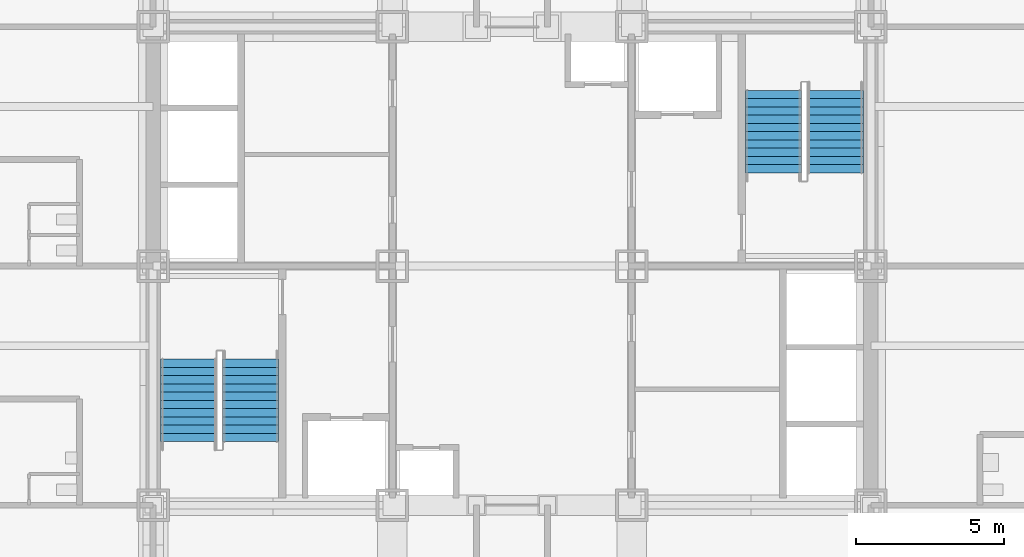
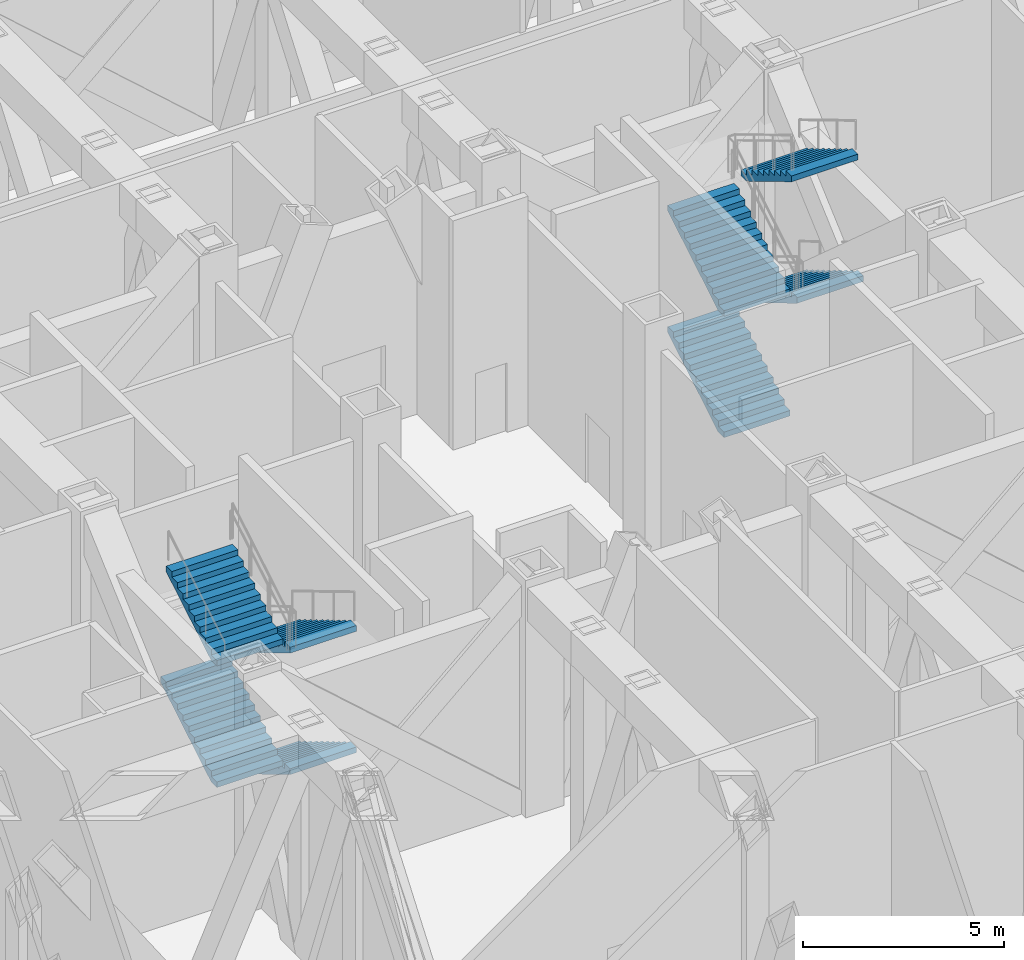
# One storey, part 11 of 13: 8 stair flights, 2 elements without a shape of their own.
"""IFC4 building model written with IfcOpenShell, lengths in metres."""

import ifcopenshell
import ifcopenshell.guid

model = None  # the IFC model being written
_history = None  # IfcOwnerHistory: only IFC2X3 demands one
_inside = {}  # id of a spatial element -> (the spatial element, [elements in it])
_under = {}  # id of a project, library or spatial element -> (it, [spatial elements below it])
_declared = {}  # id of a project -> (the project, [libraries it declares])
_typed = {}  # id of a type object -> (the type object, [elements of that type])
_made_of = {}  # id of a material, layer set ... -> (it, [elements and type objects made of it])


def new_model(schema):
    """Start an empty IFC model of exactly this schema.

    Asked for "IFC4X3", IfcOpenShell would pick the latest addendum, in which some entities
    have other attributes; the version numbers below select the first issue.
    IFC2X3 requires an IfcOwnerHistory on every rooted entity: one is made here for all.
    """
    global model, _history
    if schema == "IFC4X3":
        model = ifcopenshell.file(schema_version=(4, 3, 0, 0))
    else:
        model = ifcopenshell.file(schema=schema)
    _inside.clear()
    _under.clear()
    _declared.clear()
    _typed.clear()
    _made_of.clear()
    _history = None
    if model.schema == "IFC2X3":
        org = make("IfcOrganization", Name="unknown")
        user = make(
            "IfcPersonAndOrganization",
            ThePerson=make("IfcPerson", FamilyName="unknown"),
            TheOrganization=org,
        )
        app = make(
            "IfcApplication",
            ApplicationDeveloper=org,
            Version="unknown",
            ApplicationFullName="unknown",
            ApplicationIdentifier="unknown",
        )
        _history = make(
            "IfcOwnerHistory",
            OwningUser=user,
            OwningApplication=app,
            ChangeAction="ADDED",
            CreationDate=0,
        )
    return model


def make(cls, **values):
    """One entity of the class cls with the attributes given. An attribute that is None is left unset."""
    return model.create_entity(
        cls, **{name: value for name, value in values.items() if value is not None}
    )


def rooted(cls, **values):
    """An entity with a GlobalId (a new one), such as an element, a storey or a relation."""
    return make(cls, GlobalId=ifcopenshell.guid.new(), OwnerHistory=_history, **values)


def si_unit(unit_type, name, prefix=None):
    """IfcSIUnit, for example si_unit("LENGTHUNIT", "METRE", prefix="MILLI")."""
    return make("IfcSIUnit", UnitType=unit_type, Prefix=prefix, Name=name)


def assignment(units):
    """IfcUnitAssignment: the units of a project."""
    return None if units is None else make("IfcUnitAssignment", Units=units)


def point(xyz):
    """IfcCartesianPoint."""
    return None if xyz is None else make("IfcCartesianPoint", Coordinates=xyz)


def direction(xyz):
    """IfcDirection."""
    return None if xyz is None else make("IfcDirection", DirectionRatios=xyz)


def frame(location, z_axis=None, x_axis=None):
    """IfcAxis2Placement3D, a coordinate frame: its origin and axes. An axis left out is left unset."""
    return make(
        "IfcAxis2Placement3D",
        Location=point(location),
        Axis=direction(z_axis),
        RefDirection=direction(x_axis),
    )


def origin():
    """The frame at (0, 0, 0) with its axes left unset."""
    return frame((0.0, 0.0, 0.0))


def place(relative_to, where):
    """IfcLocalPlacement: puts the frame where relative to a parent placement (None: the world)."""
    return make(
        "IfcLocalPlacement", PlacementRelTo=relative_to, RelativePlacement=where
    )


def context(
    kind, dimensions, precision=None, world=None, true_north=None, identifier=None
):
    """IfcGeometricRepresentationContext, for example the 3D "Model" context."""
    return make(
        "IfcGeometricRepresentationContext",
        ContextIdentifier=identifier,
        ContextType=kind,
        CoordinateSpaceDimension=dimensions,
        Precision=precision,
        WorldCoordinateSystem=world,
        TrueNorth=true_north,
    )


def subcontext(parent, identifier, kind, view, scale=None):
    """IfcGeometricRepresentationSubContext, for example "Body" below "Model"."""
    return make(
        "IfcGeometricRepresentationSubContext",
        ContextIdentifier=identifier,
        ContextType=kind,
        ParentContext=parent,
        TargetScale=scale,
        TargetView=view,
    )


def project(units=None, contexts=None):
    """IfcProject with its units and contexts."""
    return rooted(
        "IfcProject",
        Name="project",
        RepresentationContexts=contexts,
        UnitsInContext=assignment(units),
    )


def spatial(cls, under=None, at=None, **own):
    """A site, building, storey or space (cls), placed at a placement, below another one or the project."""
    s = rooted(cls, ObjectPlacement=at, **own)
    if under is not None:
        _under.setdefault(under.id(), (under, []))[1].append(s)
    return s


def point_list(points):
    """IfcCartesianPointList2D or 3D."""
    cls = (
        "IfcCartesianPointList2D" if len(points[0]) == 2 else "IfcCartesianPointList3D"
    )
    return make(cls, CoordList=points)


def polygons(points, faces, closed=None, point_numbers=None):
    """IfcPolygonalFaceSet: a face is its outer loop, then its inner loops; points numbered from 1."""
    made = []
    for loops in faces:
        if len(loops) == 1:
            made.append(make("IfcIndexedPolygonalFace", CoordIndex=loops[0]))
        else:
            made.append(
                make(
                    "IfcIndexedPolygonalFaceWithVoids",
                    CoordIndex=loops[0],
                    InnerCoordIndices=loops[1:],
                )
            )
    return make(
        "IfcPolygonalFaceSet",
        Coordinates=point_list(points),
        Closed=closed,
        Faces=made,
        PnIndex=point_numbers,
    )


def shape(context_of_items, identifier, shape_type, items):
    """IfcShapeRepresentation: the items that make up one representation, for example the "Body"."""
    return make(
        "IfcShapeRepresentation",
        ContextOfItems=context_of_items,
        RepresentationIdentifier=identifier,
        RepresentationType=shape_type,
        Items=items,
    )


def source(mapping_origin, context_of_items, identifier, shape_type, items):
    """IfcRepresentationMap: a shape defined once, which mapped items show again and again."""
    return make(
        "IfcRepresentationMap",
        MappingOrigin=mapping_origin,
        MappedRepresentation=shape(context_of_items, identifier, shape_type, items),
    )


def transform(
    local_origin,
    x_axis=None,
    y_axis=None,
    z_axis=None,
    scale=None,
    scale2=None,
    scale3=None,
    uniform=True,
):
    """IfcCartesianTransformationOperator3D, or its non-uniform kind. x_axis, y_axis, z_axis: its Axis1, 2, 3."""
    if uniform:
        return make(
            "IfcCartesianTransformationOperator3D",
            Axis1=direction(x_axis),
            Axis2=direction(y_axis),
            LocalOrigin=point(local_origin),
            Scale=scale,
            Axis3=direction(z_axis),
        )
    return make(
        "IfcCartesianTransformationOperator3DnonUniform",
        Axis1=direction(x_axis),
        Axis2=direction(y_axis),
        LocalOrigin=point(local_origin),
        Scale=scale,
        Axis3=direction(z_axis),
        Scale2=scale2,
        Scale3=scale3,
    )


def mapped(mapping_source, mapping_target):
    """IfcMappedItem: shows the shape of a source again, moved by a transform."""
    return make(
        "IfcMappedItem", MappingSource=mapping_source, MappingTarget=mapping_target
    )


def material(Name=None, Category=None):
    """IfcMaterial."""
    return make("IfcMaterial", Name=Name, Category=Category)


def made_of(thing, what):
    """Note that an element or type object is made of a material, layer set ...; save() writes the relation."""
    if what is not None:
        _made_of.setdefault(what.id(), (what, []))[1].append(thing)
    return thing


def type_object(cls, material=None, **own):
    """A type object (cls), such as IfcWallType, which elements share."""
    return made_of(rooted(cls, **own), material)


def element(
    cls,
    number,
    at=None,
    inside=None,
    cuts=None,
    type_object=None,
    material=None,
    context=None,
    identifier="Body",
    shape_type=None,
    held_by="IfcProductDefinitionShape",
    body=None,
    shapes=None,
    **own,
):
    """One element of the class cls, such as IfcWall. Its Tag is "e" and its number.

    at: its placement. inside: the storey or other place that contains it. cuts: it is an
    opening in that element (IfcRelVoidsElement). A single representation is given by context,
    identifier, shape_type and body (its items); several are given by shapes. held_by: the class
    of the entity that holds the representations. save() writes the other relations.
    """
    e = rooted(cls, Tag="e%d" % number, ObjectPlacement=at, **own)
    if body is not None:
        shapes = [shape(context, identifier, shape_type, body)]
    if shapes is not None:
        e.Representation = make(held_by, Representations=shapes)
    if inside is not None:
        _inside.setdefault(inside.id(), (inside, []))[1].append(e)
    if cuts is not None:
        rooted(
            "IfcRelVoidsElement", RelatingBuildingElement=cuts, RelatedOpeningElement=e
        )
    if type_object is not None:
        _typed.setdefault(type_object.id(), (type_object, []))[1].append(e)
    return made_of(e, material)


def aggregate(whole, parts):
    """IfcRelAggregates: a whole, such as a stair, and the parts it consists of."""
    return rooted("IfcRelAggregates", RelatingObject=whole, RelatedObjects=parts)


def save(model, path):
    """Write the relations noted so far, then the file.

    IfcRelAggregates (storeys below a building ...), IfcRelContainedInSpatialStructure (elements
    in a storey), IfcRelDefinesByType, IfcRelAssociatesMaterial and IfcRelDeclares: one each for
    every whole, place, type object, material and project.
    """
    for whole, parts in _under.values():
        aggregate(whole, parts)
    for where, things in _inside.values():
        rooted(
            "IfcRelContainedInSpatialStructure",
            RelatedElements=things,
            RelatingStructure=where,
        )
    for kind, things in _typed.values():
        rooted("IfcRelDefinesByType", RelatedObjects=things, RelatingType=kind)
    for what, things in _made_of.values():
        rooted("IfcRelAssociatesMaterial", RelatedObjects=things, RelatingMaterial=what)
    for by, libraries in _declared.values():
        rooted("IfcRelDeclares", RelatingContext=by, RelatedDefinitions=libraries)
    model.write(path)


model = new_model("IFC4")

# Units and contexts
model_context = context("Model", 3, precision=1e-05, world=origin(), true_north=direction((0.0, 1.0)))
body_context = subcontext(model_context, "Body", "Model", "MODEL_VIEW")
ifc_project = project(units=[si_unit("LENGTHUNIT", "METRE"), si_unit("AREAUNIT", "SQUARE_METRE"), si_unit("VOLUMEUNIT", "CUBIC_METRE"), si_unit("PLANEANGLEUNIT", "RADIAN"), si_unit("MASSUNIT", "GRAM", prefix="KILO")], contexts=[model_context])

# Site, building, storey
site_placement = place(None, origin())
site = spatial("IfcSite", under=ifc_project, at=site_placement, CompositionType="ELEMENT")
building_placement = place(site_placement, origin())
building = spatial("IfcBuilding", under=site, at=building_placement, Name="Kopane Lantern Tower", CompositionType="ELEMENT")
storey_placement = place(building_placement, frame((0.0, 0.0, 157.800048828125)))
storey = spatial("IfcBuildingStorey", under=building, at=storey_placement, Name="L41", CompositionType="ELEMENT", Elevation=157.800048828125)

# Stair, stair flights
ifc_material_1 = material(Name="Steel S355JR", Category="steel")
stair_type = type_object("IfcStairType", Name="EXIT STAIR 1900 HALF TURN", PredefinedType="HALF_TURN_STAIR", material=ifc_material_1)
stair_1_placement = place(storey_placement, origin())
stair_1 = element("IfcStair", 1, at=stair_1_placement, inside=storey, type_object=stair_type, Name="Exit stair ST1 L41", PredefinedType="HALF_TURN_STAIR")
ifc_material_2 = material(Name="Steel S355JR", Category="steel")
stair_flight_type = type_object("IfcStairFlightType", Name="STAIR FLIGHT 1900 STEEL", PredefinedType="STRAIGHT", material=ifc_material_2)
shared_shape_1 = source(origin(), body_context, "Body", "Tessellation", [
    polygons([(2.800048828, 0.949951172, 1.674316406), (2.520019531, 0.949951172, 1.674316406), (2.520019531, -0.949951172, 1.674316406), (2.800048828, -0.949951172, 1.674316406), (0.291992188, 0.949951172, 0.0), (2.800048828, 0.949951172, 1.499755859), (2.800048828, -0.949951172, 1.499755859), (0.291992188, -0.949951172, 0.0), (0.0, 0.949951172, 0.0), (0.0, -0.949951172, 0.0), (0.280029297, 0.949951172, 0.167480469), (0.0, 0.949951172, 0.167480469), (0.0, -0.949951172, 0.167480469), (0.280029297, -0.949951172, 0.167480469), (0.280029297, 0.949951172, 0.334960938), (0.280029297, -0.949951172, 0.334960938), (0.560058594, 0.949951172, 0.334960938), (0.560058594, -0.949951172, 0.334960938), (0.560058594, 0.949951172, 0.502441406), (0.560058594, -0.949951172, 0.502441406), (0.840087891, 0.949951172, 0.502441406), (0.840087891, -0.949951172, 0.502441406), (0.840087891, 0.949951172, 0.669677734), (0.840087891, -0.949951172, 0.669677734), (1.120117188, 0.949951172, 0.669677734), (1.120117188, -0.949951172, 0.669677734), (1.120117188, 0.949951172, 0.837158203), (1.120117188, -0.949951172, 0.837158203), (1.399902344, 0.949951172, 0.837158203), (1.399902344, -0.949951172, 0.837158203), (1.399902344, 0.949951172, 1.004638672), (1.399902344, -0.949951172, 1.004638672), (1.679931641, 0.949951172, 1.004638672), (1.679931641, -0.949951172, 1.004638672), (1.679931641, 0.949951172, 1.172119141), (1.679931641, -0.949951172, 1.172119141), (1.959960938, 0.949951172, 1.172119141), (1.959960938, -0.949951172, 1.172119141), (1.959960938, 0.949951172, 1.339599609), (1.959960938, -0.949951172, 1.339599609), (2.239990234, 0.949951172, 1.339599609), (2.239990234, -0.949951172, 1.339599609), (2.239990234, 0.949951172, 1.507080078), (2.239990234, -0.949951172, 1.507080078), (2.520019531, 0.949951172, 1.507080078), (2.520019531, -0.949951172, 1.507080078), (0.0, 0.0, 0.004526499), (0.0, 0.0, 0.009052998), (0.0, 0.0, 0.013579497), (0.0, 0.0, 0.018105997), (0.0, 0.0, 0.022632496), (0.0, 0.0, 0.027158995), (0.0, 0.0, 0.031685494), (0.0, 0.0, 0.036211993), (0.0, 0.0, 0.040738492), (0.0, 0.0, 0.045264992), (0.0, 0.0, 0.049791491), (0.0, 0.0, 0.05431799), (0.0, 0.0, 0.058844489), (0.0, 0.0, 0.063370988), (0.0, 0.0, 0.067897487), (0.0, 0.0, 0.072423986), (0.0, 0.0, 0.076950486), (0.0, 0.0, 0.081476985), (0.0, 0.0, 0.086003484), (0.0, 0.0, 0.090529983), (0.0, 0.0, 0.095056482), (0.0, 0.0, 0.099582981), (0.0, 0.0, 0.104109481), (0.0, 0.0, 0.10863598), (0.0, 0.0, 0.113162479), (0.0, 0.0, 0.117688978), (0.0, 0.0, 0.122215477), (0.0, 0.0, 0.126741976), (0.0, 0.0, 0.131268476), (0.0, 0.0, 0.135794975), (0.0, 0.0, 0.140321474), (0.0, 0.0, 0.144847973), (0.0, 0.0, 0.149374472), (0.0, 0.0, 0.153900971), (0.0, 0.0, 0.15842747), (0.0, 0.0, 0.16295397), (2.800048828, 0.0, 1.504473712), (2.800048828, 0.0, 1.509191565), (2.800048828, 0.0, 1.513909417), (2.800048828, 0.0, 1.51862727), (2.800048828, 0.0, 1.523345122), (2.800048828, 0.0, 1.528062975), (2.800048828, 0.0, 1.532780828), (2.800048828, 0.0, 1.53749868), (2.800048828, 0.0, 1.542216533), (2.800048828, 0.0, 1.546934386), (2.800048828, 0.0, 1.551652238), (2.800048828, 0.0, 1.556370091), (2.800048828, 0.0, 1.561087943), (2.800048828, 0.0, 1.565805796), (2.800048828, 0.0, 1.570523649), (2.800048828, 0.0, 1.575241501), (2.800048828, 0.0, 1.579959354), (2.800048828, 0.0, 1.584677207), (2.800048828, 0.0, 1.589395059), (2.800048828, 0.0, 1.594112912), (2.800048828, 0.0, 1.598830764), (2.800048828, 0.0, 1.603548617), (2.800048828, 0.0, 1.60826647), (2.800048828, 0.0, 1.612984322), (2.800048828, 0.0, 1.617702175), (2.800048828, 0.0, 1.622420027), (2.800048828, 0.0, 1.62713788), (2.800048828, 0.0, 1.631855733), (2.800048828, 0.0, 1.636573585), (2.800048828, 0.0, 1.641291438), (2.800048828, 0.0, 1.646009291), (2.800048828, 0.0, 1.650727143), (2.800048828, 0.0, 1.655444996), (2.800048828, 0.0, 1.660162848), (2.800048828, 0.0, 1.664880701), (2.800048828, 0.0, 1.669598554)], [[[1, 2, 3]], [[1, 3, 4]], [[5, 6, 7]], [[5, 7, 8]], [[9, 5, 8]], [[9, 8, 10]], [[11, 12, 13]], [[11, 13, 14]], [[15, 11, 14]], [[15, 14, 16]], [[17, 15, 16]], [[17, 16, 18]], [[19, 17, 18]], [[19, 18, 20]], [[21, 19, 20]], [[21, 20, 22]], [[23, 21, 22]], [[23, 22, 24]], [[25, 23, 24]], [[25, 24, 26]], [[27, 25, 26]], [[27, 26, 28]], [[29, 27, 28]], [[29, 28, 30]], [[31, 29, 30]], [[31, 30, 32]], [[33, 31, 32]], [[33, 32, 34]], [[35, 33, 34]], [[35, 34, 36]], [[37, 35, 36]], [[37, 36, 38]], [[39, 37, 38]], [[39, 38, 40]], [[41, 39, 40]], [[41, 40, 42]], [[43, 41, 42]], [[43, 42, 44]], [[45, 43, 44]], [[45, 44, 46]], [[2, 45, 46]], [[2, 46, 3]], [[45, 1, 6]], [[41, 45, 6]], [[2, 1, 45]], [[37, 41, 6]], [[43, 45, 41]], [[39, 41, 37]], [[35, 37, 33]], [[31, 33, 29]], [[5, 21, 25]], [[27, 29, 25]], [[17, 21, 5]], [[23, 25, 21]], [[11, 17, 5]], [[19, 21, 17]], [[9, 11, 5]], [[15, 17, 11]], [[12, 11, 9]], [[6, 5, 25]], [[6, 25, 29]], [[6, 29, 33]], [[6, 33, 37]], [[7, 4, 46]], [[7, 46, 42]], [[46, 4, 3]], [[7, 42, 38]], [[42, 46, 44]], [[38, 42, 40]], [[34, 38, 36]], [[30, 34, 32]], [[26, 22, 8]], [[26, 30, 28]], [[8, 22, 18]], [[22, 26, 24]], [[8, 18, 14]], [[18, 22, 20]], [[8, 14, 10]], [[14, 18, 16]], [[10, 14, 13]], [[26, 8, 7]], [[30, 26, 7]], [[34, 30, 7]], [[38, 34, 7]], [[10, 47, 9]], [[10, 48, 47]], [[9, 47, 48]], [[10, 49, 48]], [[9, 48, 49]], [[10, 50, 49]], [[9, 49, 50]], [[10, 51, 50]], [[9, 50, 51]], [[10, 52, 51]], [[9, 51, 52]], [[10, 53, 52]], [[9, 52, 53]], [[10, 54, 53]], [[9, 53, 54]], [[10, 55, 54]], [[9, 54, 55]], [[10, 56, 55]], [[9, 55, 56]], [[10, 57, 56]], [[9, 56, 57]], [[10, 58, 57]], [[9, 57, 58]], [[10, 59, 58]], [[9, 58, 59]], [[10, 60, 59]], [[9, 59, 60]], [[10, 61, 60]], [[9, 60, 61]], [[10, 62, 61]], [[9, 61, 62]], [[10, 63, 62]], [[9, 62, 63]], [[10, 64, 63]], [[9, 63, 64]], [[10, 65, 64]], [[9, 64, 65]], [[10, 66, 65]], [[9, 65, 66]], [[10, 67, 66]], [[9, 66, 67]], [[10, 68, 67]], [[9, 67, 68]], [[10, 69, 68]], [[9, 68, 69]], [[10, 70, 69]], [[9, 69, 70]], [[10, 71, 70]], [[9, 70, 71]], [[10, 72, 71]], [[9, 71, 72]], [[10, 73, 72]], [[9, 72, 73]], [[10, 74, 73]], [[9, 73, 74]], [[10, 75, 74]], [[9, 74, 75]], [[10, 76, 75]], [[9, 75, 76]], [[10, 77, 76]], [[9, 76, 77]], [[10, 78, 77]], [[9, 77, 78]], [[10, 79, 78]], [[9, 78, 79]], [[10, 80, 79]], [[9, 79, 80]], [[10, 81, 80]], [[9, 80, 81]], [[10, 82, 81]], [[9, 81, 82]], [[10, 13, 82]], [[82, 13, 12]], [[9, 82, 12]], [[7, 6, 83]], [[7, 83, 84]], [[6, 84, 83]], [[7, 84, 85]], [[6, 85, 84]], [[7, 85, 86]], [[6, 86, 85]], [[7, 86, 87]], [[6, 87, 86]], [[7, 87, 88]], [[6, 88, 87]], [[7, 88, 89]], [[6, 89, 88]], [[7, 89, 90]], [[6, 90, 89]], [[7, 90, 91]], [[6, 91, 90]], [[7, 91, 92]], [[6, 92, 91]], [[7, 92, 93]], [[6, 93, 92]], [[7, 93, 94]], [[6, 94, 93]], [[7, 94, 95]], [[6, 95, 94]], [[7, 95, 96]], [[6, 96, 95]], [[7, 96, 97]], [[6, 97, 96]], [[7, 97, 98]], [[6, 98, 97]], [[7, 98, 99]], [[6, 99, 98]], [[7, 99, 100]], [[6, 100, 99]], [[7, 100, 101]], [[6, 101, 100]], [[7, 101, 102]], [[6, 102, 101]], [[7, 102, 103]], [[6, 103, 102]], [[7, 103, 104]], [[6, 104, 103]], [[7, 104, 105]], [[6, 105, 104]], [[7, 105, 106]], [[6, 106, 105]], [[7, 106, 107]], [[6, 107, 106]], [[7, 107, 108]], [[6, 108, 107]], [[7, 108, 109]], [[6, 109, 108]], [[7, 109, 110]], [[6, 110, 109]], [[7, 110, 111]], [[6, 111, 110]], [[7, 111, 112]], [[6, 112, 111]], [[7, 112, 113]], [[6, 113, 112]], [[7, 113, 114]], [[6, 114, 113]], [[7, 114, 115]], [[6, 115, 114]], [[7, 115, 116]], [[6, 116, 115]], [[7, 116, 117]], [[6, 117, 116]], [[7, 117, 118]], [[6, 118, 117]], [[7, 118, 4]], [[118, 1, 4]], [[6, 1, 118]]], closed=True),
])
stair_flight_1_placement = place(storey_placement, frame((19.5, 29.25, 0.0), z_axis=(0.0, 0.0, 1.0), x_axis=(0.0, -1.0, 0.0)))
stair_flight_1 = element("IfcStairFlight", 2, at=stair_flight_1_placement, type_object=stair_flight_type, Name="ST1 flight 1", NumberOfRisers=11, NumberOfTreads=10, PredefinedType="STRAIGHT", RiserHeight=0.16744186, TreadLength=0.28, context=body_context, shape_type="MappedRepresentation", body=[
    mapped(shared_shape_1, transform((0.0, 0.0, 0.0))),
])
stair_flight_2_placement = place(storey_placement, frame((17.39990234375, 26.449951171875, 1.841796875), z_axis=(0.0, 0.0, 1.0), x_axis=(0.0, 1.0, 0.0)))
stair_flight_2 = element("IfcStairFlight", 3, at=stair_flight_2_placement, type_object=stair_flight_type, Name="ST1 flight 2", NumberOfRisers=11, NumberOfTreads=10, PredefinedType="STRAIGHT", RiserHeight=0.16744186, TreadLength=0.28, context=body_context, shape_type="MappedRepresentation", body=[
    mapped(shared_shape_1, transform((0.0, 0.0, 0.0))),
])
stair_flight_3_placement = place(storey_placement, frame((19.5, 29.25, 3.68359375), z_axis=(0.0, 0.0, 1.0), x_axis=(0.0, -1.0, 0.0)))
stair_flight_3 = element("IfcStairFlight", 4, at=stair_flight_3_placement, type_object=stair_flight_type, Name="ST1 flight 3", NumberOfRisers=11, NumberOfTreads=10, PredefinedType="STRAIGHT", RiserHeight=0.16744186, TreadLength=0.28, context=body_context, shape_type="MappedRepresentation", body=[
    mapped(shared_shape_1, transform((0.0, 0.0, 0.0))),
])

stair_2_placement = place(storey_placement, origin())
stair_2 = element("IfcStair", 5, at=stair_2_placement, inside=storey, type_object=stair_type, Name="Exit stair ST2 L41", PredefinedType="HALF_TURN_STAIR")
stair_flight_4_placement = place(storey_placement, frame((37.199951171875, 35.550048828125, 0.0), z_axis=(0.0, 0.0, 1.0), x_axis=(0.0, 1.0, 0.0)))
stair_flight_4 = element("IfcStairFlight", 6, at=stair_flight_4_placement, type_object=stair_flight_type, Name="ST2 flight 1", NumberOfRisers=11, NumberOfTreads=10, PredefinedType="STRAIGHT", RiserHeight=0.16744186, TreadLength=0.28, context=body_context, shape_type="MappedRepresentation", body=[
    mapped(shared_shape_1, transform((0.0, 0.0, 0.0))),
])
stair_flight_5_placement = place(storey_placement, frame((39.300048828125, 38.35009765625, 1.841796875), z_axis=(0.0, 0.0, 1.0), x_axis=(0.0, -1.0, 0.0)))
stair_flight_5 = element("IfcStairFlight", 7, at=stair_flight_5_placement, type_object=stair_flight_type, Name="ST2 flight 2", NumberOfRisers=11, NumberOfTreads=10, PredefinedType="STRAIGHT", RiserHeight=0.16744186, TreadLength=0.28, context=body_context, shape_type="MappedRepresentation", body=[
    mapped(shared_shape_1, transform((0.0, 0.0, 0.0))),
])
stair_flight_6_placement = place(storey_placement, frame((37.199951171875, 35.550048828125, 3.68359375), z_axis=(0.0, 0.0, 1.0), x_axis=(0.0, 1.0, 0.0)))
stair_flight_6 = element("IfcStairFlight", 8, at=stair_flight_6_placement, type_object=stair_flight_type, Name="ST2 flight 3", NumberOfRisers=11, NumberOfTreads=10, PredefinedType="STRAIGHT", RiserHeight=0.16744186, TreadLength=0.28, context=body_context, shape_type="MappedRepresentation", body=[
    mapped(shared_shape_1, transform((0.0, 0.0, 0.0))),
])

# Stair flight
shared_shape_2 = source(origin(), body_context, "Body", "Tessellation", [
    polygons([(2.520019531, 0.949951172, 1.507080078), (2.239990234, 0.949951172, 1.507080078), (2.239990234, -0.949951172, 1.507080078), (2.520019531, -0.949951172, 1.507080078), (0.291992188, 0.949951172, 0.0), (2.520019531, 0.949951172, 1.332275391), (2.520019531, -0.949951172, 1.332275391), (0.291992188, -0.949951172, 0.0), (0.0, 0.949951172, 0.0), (0.0, -0.949951172, 0.0), (0.280029297, 0.949951172, 0.167480469), (0.0, 0.949951172, 0.167480469), (0.0, -0.949951172, 0.167480469), (0.280029297, -0.949951172, 0.167480469), (0.280029297, 0.949951172, 0.334960938), (0.280029297, -0.949951172, 0.334960938), (0.560058594, 0.949951172, 0.334960938), (0.560058594, -0.949951172, 0.334960938), (0.560058594, 0.949951172, 0.502441406), (0.560058594, -0.949951172, 0.502441406), (0.840087891, 0.949951172, 0.502441406), (0.840087891, -0.949951172, 0.502441406), (0.840087891, 0.949951172, 0.669677734), (0.840087891, -0.949951172, 0.669677734), (1.120117188, 0.949951172, 0.669677734), (1.120117188, -0.949951172, 0.669677734), (1.120117188, 0.949951172, 0.837158203), (1.120117188, -0.949951172, 0.837158203), (1.399902344, 0.949951172, 0.837158203), (1.399902344, -0.949951172, 0.837158203), (1.399902344, 0.949951172, 1.004638672), (1.399902344, -0.949951172, 1.004638672), (1.679931641, 0.949951172, 1.004638672), (1.679931641, -0.949951172, 1.004638672), (1.679931641, 0.949951172, 1.172119141), (1.679931641, -0.949951172, 1.172119141), (1.959960938, 0.949951172, 1.172119141), (1.959960938, -0.949951172, 1.172119141), (1.959960938, 0.949951172, 1.339599609), (1.959960938, -0.949951172, 1.339599609), (2.239990234, 0.949951172, 1.339599609), (2.239990234, -0.949951172, 1.339599609), (0.0, 0.0, 0.004526499), (0.0, 0.0, 0.009052998), (0.0, 0.0, 0.013579497), (0.0, 0.0, 0.018105997), (0.0, 0.0, 0.022632496), (0.0, 0.0, 0.027158995), (0.0, 0.0, 0.031685494), (0.0, 0.0, 0.036211993), (0.0, 0.0, 0.040738492), (0.0, 0.0, 0.045264992), (0.0, 0.0, 0.049791491), (0.0, 0.0, 0.05431799), (0.0, 0.0, 0.058844489), (0.0, 0.0, 0.063370988), (0.0, 0.0, 0.067897487), (0.0, 0.0, 0.072423986), (0.0, 0.0, 0.076950486), (0.0, 0.0, 0.081476985), (0.0, 0.0, 0.086003484), (0.0, 0.0, 0.090529983), (0.0, 0.0, 0.095056482), (0.0, 0.0, 0.099582981), (0.0, 0.0, 0.104109481), (0.0, 0.0, 0.10863598), (0.0, 0.0, 0.113162479), (0.0, 0.0, 0.117688978), (0.0, 0.0, 0.122215477), (0.0, 0.0, 0.126741976), (0.0, 0.0, 0.131268476), (0.0, 0.0, 0.135794975), (0.0, 0.0, 0.140321474), (0.0, 0.0, 0.144847973), (0.0, 0.0, 0.149374472), (0.0, 0.0, 0.153900971), (0.0, 0.0, 0.15842747), (0.0, 0.0, 0.16295397), (2.520019531, 0.0, 1.336999842), (2.520019531, 0.0, 1.341724293), (2.520019531, 0.0, 1.346448744), (2.520019531, 0.0, 1.351173195), (2.520019531, 0.0, 1.355897646), (2.520019531, 0.0, 1.360622097), (2.520019531, 0.0, 1.365346548), (2.520019531, 0.0, 1.370070999), (2.520019531, 0.0, 1.37479545), (2.520019531, 0.0, 1.379519901), (2.520019531, 0.0, 1.384244352), (2.520019531, 0.0, 1.388968803), (2.520019531, 0.0, 1.393693254), (2.520019531, 0.0, 1.398417705), (2.520019531, 0.0, 1.403142156), (2.520019531, 0.0, 1.407866607), (2.520019531, 0.0, 1.412591058), (2.520019531, 0.0, 1.417315509), (2.520019531, 0.0, 1.42203996), (2.520019531, 0.0, 1.426764411), (2.520019531, 0.0, 1.431488862), (2.520019531, 0.0, 1.436213313), (2.520019531, 0.0, 1.440937764), (2.520019531, 0.0, 1.445662215), (2.520019531, 0.0, 1.450386666), (2.520019531, 0.0, 1.455111117), (2.520019531, 0.0, 1.459835568), (2.520019531, 0.0, 1.464560019), (2.520019531, 0.0, 1.46928447), (2.520019531, 0.0, 1.474008921), (2.520019531, 0.0, 1.478733372), (2.520019531, 0.0, 1.483457823), (2.520019531, 0.0, 1.488182274), (2.520019531, 0.0, 1.492906725), (2.520019531, 0.0, 1.497631176), (2.520019531, 0.0, 1.502355627)], [[[1, 2, 3]], [[1, 3, 4]], [[5, 6, 7]], [[5, 7, 8]], [[9, 5, 8]], [[9, 8, 10]], [[11, 12, 13]], [[11, 13, 14]], [[15, 11, 14]], [[15, 14, 16]], [[17, 15, 16]], [[17, 16, 18]], [[19, 17, 18]], [[19, 18, 20]], [[21, 19, 20]], [[21, 20, 22]], [[23, 21, 22]], [[23, 22, 24]], [[25, 23, 24]], [[25, 24, 26]], [[27, 25, 26]], [[27, 26, 28]], [[29, 27, 28]], [[29, 28, 30]], [[31, 29, 30]], [[31, 30, 32]], [[33, 31, 32]], [[33, 32, 34]], [[35, 33, 34]], [[35, 34, 36]], [[37, 35, 36]], [[37, 36, 38]], [[39, 37, 38]], [[39, 38, 40]], [[41, 39, 40]], [[41, 40, 42]], [[2, 41, 42]], [[2, 42, 3]], [[41, 1, 6]], [[37, 41, 6]], [[2, 1, 41]], [[33, 37, 6]], [[39, 41, 37]], [[35, 37, 33]], [[31, 33, 29]], [[5, 21, 25]], [[27, 29, 25]], [[17, 21, 5]], [[23, 25, 21]], [[11, 17, 5]], [[19, 21, 17]], [[9, 11, 5]], [[15, 17, 11]], [[12, 11, 9]], [[6, 5, 25]], [[6, 25, 29]], [[6, 29, 33]], [[7, 4, 42]], [[7, 42, 38]], [[42, 4, 3]], [[7, 38, 34]], [[38, 42, 40]], [[34, 38, 36]], [[30, 34, 32]], [[26, 22, 8]], [[26, 30, 28]], [[8, 22, 18]], [[22, 26, 24]], [[8, 18, 14]], [[18, 22, 20]], [[8, 14, 10]], [[14, 18, 16]], [[10, 14, 13]], [[26, 8, 7]], [[30, 26, 7]], [[34, 30, 7]], [[10, 43, 9]], [[10, 44, 43]], [[9, 43, 44]], [[10, 45, 44]], [[9, 44, 45]], [[10, 46, 45]], [[9, 45, 46]], [[10, 47, 46]], [[9, 46, 47]], [[10, 48, 47]], [[9, 47, 48]], [[10, 49, 48]], [[9, 48, 49]], [[10, 50, 49]], [[9, 49, 50]], [[10, 51, 50]], [[9, 50, 51]], [[10, 52, 51]], [[9, 51, 52]], [[10, 53, 52]], [[9, 52, 53]], [[10, 54, 53]], [[9, 53, 54]], [[10, 55, 54]], [[9, 54, 55]], [[10, 56, 55]], [[9, 55, 56]], [[10, 57, 56]], [[9, 56, 57]], [[10, 58, 57]], [[9, 57, 58]], [[10, 59, 58]], [[9, 58, 59]], [[10, 60, 59]], [[9, 59, 60]], [[10, 61, 60]], [[9, 60, 61]], [[10, 62, 61]], [[9, 61, 62]], [[10, 63, 62]], [[9, 62, 63]], [[10, 64, 63]], [[9, 63, 64]], [[10, 65, 64]], [[9, 64, 65]], [[10, 66, 65]], [[9, 65, 66]], [[10, 67, 66]], [[9, 66, 67]], [[10, 68, 67]], [[9, 67, 68]], [[10, 69, 68]], [[9, 68, 69]], [[10, 70, 69]], [[9, 69, 70]], [[10, 71, 70]], [[9, 70, 71]], [[10, 72, 71]], [[9, 71, 72]], [[10, 73, 72]], [[9, 72, 73]], [[10, 74, 73]], [[9, 73, 74]], [[10, 75, 74]], [[9, 74, 75]], [[10, 76, 75]], [[9, 75, 76]], [[10, 77, 76]], [[9, 76, 77]], [[10, 78, 77]], [[9, 77, 78]], [[10, 13, 78]], [[78, 13, 12]], [[9, 78, 12]], [[7, 6, 79]], [[7, 79, 80]], [[6, 80, 79]], [[7, 80, 81]], [[6, 81, 80]], [[7, 81, 82]], [[6, 82, 81]], [[7, 82, 83]], [[6, 83, 82]], [[7, 83, 84]], [[6, 84, 83]], [[7, 84, 85]], [[6, 85, 84]], [[7, 85, 86]], [[6, 86, 85]], [[7, 86, 87]], [[6, 87, 86]], [[7, 87, 88]], [[6, 88, 87]], [[7, 88, 89]], [[6, 89, 88]], [[7, 89, 90]], [[6, 90, 89]], [[7, 90, 91]], [[6, 91, 90]], [[7, 91, 92]], [[6, 92, 91]], [[7, 92, 93]], [[6, 93, 92]], [[7, 93, 94]], [[6, 94, 93]], [[7, 94, 95]], [[6, 95, 94]], [[7, 95, 96]], [[6, 96, 95]], [[7, 96, 97]], [[6, 97, 96]], [[7, 97, 98]], [[6, 98, 97]], [[7, 98, 99]], [[6, 99, 98]], [[7, 99, 100]], [[6, 100, 99]], [[7, 100, 101]], [[6, 101, 100]], [[7, 101, 102]], [[6, 102, 101]], [[7, 102, 103]], [[6, 103, 102]], [[7, 103, 104]], [[6, 104, 103]], [[7, 104, 105]], [[6, 105, 104]], [[7, 105, 106]], [[6, 106, 105]], [[7, 106, 107]], [[6, 107, 106]], [[7, 107, 108]], [[6, 108, 107]], [[7, 108, 109]], [[6, 109, 108]], [[7, 109, 110]], [[6, 110, 109]], [[7, 110, 111]], [[6, 111, 110]], [[7, 111, 112]], [[6, 112, 111]], [[7, 112, 113]], [[6, 113, 112]], [[7, 113, 114]], [[6, 114, 113]], [[7, 114, 4]], [[114, 1, 4]], [[6, 1, 114]]], closed=True),
])
stair_flight_7_placement = place(storey_placement, frame((17.39990234375, 26.449951171875, 5.525634765625), z_axis=(0.0, 0.0, 1.0), x_axis=(0.0, 1.0, 0.0)))
stair_flight_7 = element("IfcStairFlight", 9, at=stair_flight_7_placement, type_object=stair_flight_type, Name="ST1 flight 4", NumberOfRisers=10, NumberOfTreads=9, PredefinedType="STRAIGHT", RiserHeight=0.16744186, TreadLength=0.28, context=body_context, shape_type="MappedRepresentation", body=[
    mapped(shared_shape_2, transform((0.0, 0.0, 0.0))),
])

aggregate(stair_1, [stair_flight_1, stair_flight_2, stair_flight_3, stair_flight_7])

stair_flight_8_placement = place(storey_placement, frame((39.300048828125, 38.35009765625, 5.525634765625), z_axis=(0.0, 0.0, 1.0), x_axis=(0.0, -1.0, 0.0)))
stair_flight_8 = element("IfcStairFlight", 10, at=stair_flight_8_placement, type_object=stair_flight_type, Name="ST2 flight 4", NumberOfRisers=10, NumberOfTreads=9, PredefinedType="STRAIGHT", RiserHeight=0.16744186, TreadLength=0.28, context=body_context, shape_type="MappedRepresentation", body=[
    mapped(shared_shape_2, transform((0.0, 0.0, 0.0))),
])

aggregate(stair_2, [stair_flight_4, stair_flight_5, stair_flight_6, stair_flight_8])

save(model, "model.ifc")
